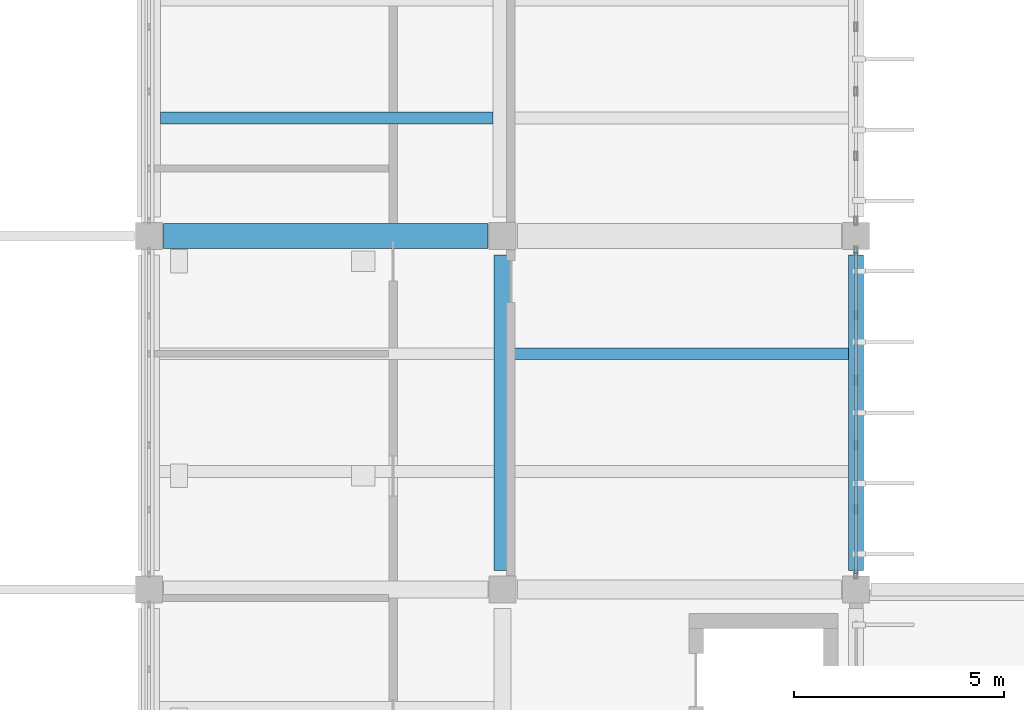
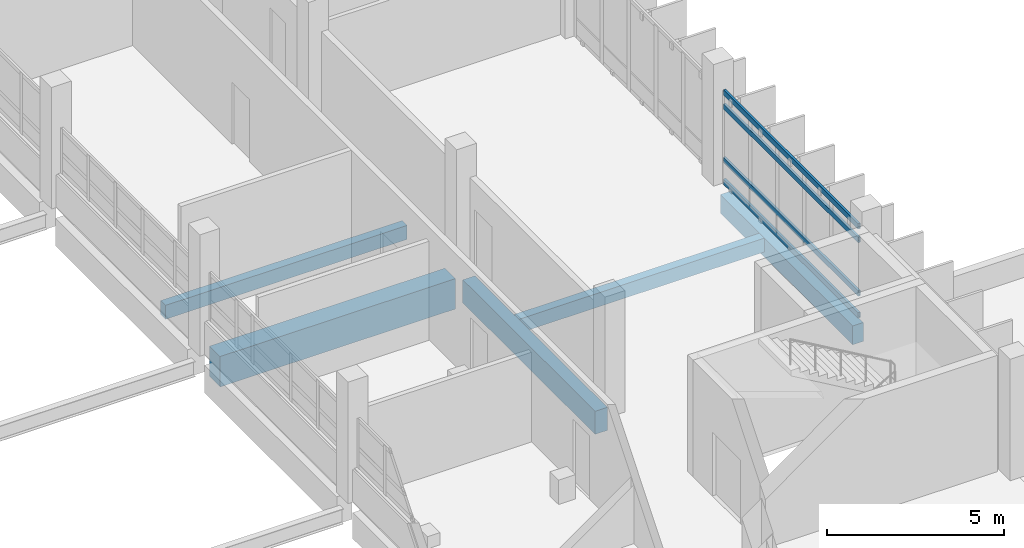
# One storey, part 41 of 101: 5 beams, 4 members, 1 element without a shape of its own.
"""IFC4 building model written with IfcOpenShell, lengths in metres."""

from ifc_helpers import new_model, si_unit, direction, frame, origin, origin_2d, place, context, subcontext, project, spatial, rectangle, hollow_rectangle, extrude, material, layer, layer_set, material_profile, profile_set, type_object, element, aggregate, save


model = new_model("IFC4")

# Units and contexts
model_context = context("Model", 3, precision=1e-05, world=origin(), true_north=direction((0.0, 1.0)))
body_context = subcontext(model_context, "Body", "Model", "MODEL_VIEW")
ifc_project = project(units=[si_unit("LENGTHUNIT", "METRE"), si_unit("AREAUNIT", "SQUARE_METRE"), si_unit("VOLUMEUNIT", "CUBIC_METRE"), si_unit("PLANEANGLEUNIT", "RADIAN"), si_unit("MASSUNIT", "GRAM", prefix="KILO")], contexts=[model_context])

# Site, building, storey
site_placement = place(None, origin())
site = spatial("IfcSite", under=ifc_project, at=site_placement, CompositionType="ELEMENT")
building_placement = place(site_placement, origin())
building = spatial("IfcBuilding", under=site, at=building_placement, Name="Vireocrest Preparatory School", CompositionType="ELEMENT")
storey_placement = place(building_placement, frame((0.0, 0.0, 4.800048828125)))
storey = spatial("IfcBuildingStorey", under=building, at=storey_placement, Name="L01", CompositionType="ELEMENT", Elevation=4.800048828125)

# Curtain wall, members
ifc_material_1 = material(Name="Thermally broken aluminium EN AW-6063-T6", Category="aluminium")
ifc_layer = layer(ifc_material_1, 0.179931640625)
ifc_layer_set = layer_set([ifc_layer], Name="Thermally broken aluminium EN AW-6063-T6")
curtain_wall_type = type_object("IfcCurtainWallType", Name="Teaching Fin Curtain Wall 8400x4200", PredefinedType="USERDEFINED", material=ifc_layer_set)
curtain_wall_placement = place(storey_placement, origin())
curtain_wall = element("IfcCurtainWall", 1, at=curtain_wall_placement, inside=storey, type_object=curtain_wall_type, Name="Curtain Wall CW03 CW_L01_CW03_1092_0525_048", ObjectType="CURTAIN WALL", PredefinedType="USERDEFINED")
ifc_material_profile_1 = material_profile(ifc_material_1, hollow_rectangle(XDim=0.074951171875, YDim=0.18994140625, WallThickness=0.00390625, at=origin_2d()), Name="ALU 75x190x4")
ifc_profile_set_1 = profile_set([ifc_material_profile_1], Name="Thermally broken aluminium EN AW-6063-T6")
member_type = type_object("IfcMemberType", Name="CW Transom 75x190x4", PredefinedType="USERDEFINED", material=ifc_profile_set_1)
member_1_placement = place(storey_placement, frame((109.199951171875, 52.5849609375, 0.094970703125), z_axis=(0.0, 1.0, 0.0), x_axis=(-1.0, 0.0, 0.0)))
member_1 = element("IfcMember", 2, at=member_1_placement, type_object=member_type, Name="CW Transom TR3 CW_L01_CW03_1092_0525_048-1", ObjectType="TRANSOM", PredefinedType="USERDEFINED", context=body_context, shape_type="SweptSolid", body=[
    extrude(hollow_rectangle(XDim=0.074951171875, YDim=0.18994140625, WallThickness=0.00390625, at=origin_2d()), origin(), (0.0, 0.0, 1.0), 7.630126953125),
])
member_2_placement = place(storey_placement, frame((109.199951171875, 52.5849609375, 0.849853515625), z_axis=(0.0, 1.0, 0.0), x_axis=(-1.0, 0.0, 0.0)))
member_2 = element("IfcMember", 3, at=member_2_placement, type_object=member_type, Name="CW Transom TR3 CW_L01_CW03_1092_0525_048-2", ObjectType="TRANSOM", PredefinedType="USERDEFINED", context=body_context, shape_type="SweptSolid", body=[
    extrude(hollow_rectangle(XDim=0.074951171875, YDim=0.18994140625, WallThickness=0.00390625, at=origin_2d()), origin(), (0.0, 0.0, 1.0), 7.630126953125),
])
member_3_placement = place(storey_placement, frame((109.199951171875, 52.5849609375, 2.699951171875), z_axis=(0.0, 1.0, 0.0), x_axis=(-1.0, 0.0, 0.0)))
member_3 = element("IfcMember", 4, at=member_3_placement, type_object=member_type, Name="CW Transom TR3 CW_L01_CW03_1092_0525_048-3", ObjectType="TRANSOM", PredefinedType="USERDEFINED", context=body_context, shape_type="SweptSolid", body=[
    extrude(hollow_rectangle(XDim=0.074951171875, YDim=0.18994140625, WallThickness=0.00390625, at=origin_2d()), origin(), (0.0, 0.0, 1.0), 7.630126953125),
])
member_4_placement = place(storey_placement, frame((109.199951171875, 52.5849609375, 3.175048828125), z_axis=(0.0, 1.0, 0.0), x_axis=(-1.0, 0.0, 0.0)))
member_4 = element("IfcMember", 5, at=member_4_placement, type_object=member_type, Name="CW Transom TR3 CW_L01_CW03_1092_0525_048-4", ObjectType="TRANSOM", PredefinedType="USERDEFINED", context=body_context, shape_type="SweptSolid", body=[
    extrude(hollow_rectangle(XDim=0.074951171875, YDim=0.18994140625, WallThickness=0.00390625, at=origin_2d()), origin(), (0.0, 0.0, 1.0), 7.630126953125),
])
aggregate(curtain_wall, [member_1, member_2, member_3, member_4])

# Beams
ifc_material_2 = material(Name="Concrete 40 MPa", Category="concrete")
ifc_material_profile_2 = material_profile(ifc_material_2, rectangle(XDim=0.35009765625, YDim=0.64990234375, at=origin_2d()), Name="RC 350x650")
ifc_profile_set_2 = profile_set([ifc_material_profile_2], Name="Concrete 40 MPa")
beam_type_1 = type_object("IfcBeamType", Name="RC Classroom Girder 350x650", PredefinedType="BEAM", material=ifc_profile_set_2)
beam_1_placement = place(storey_placement, frame((109.199951171875, 52.64990234375, -0.5849609375), z_axis=(0.0, 1.0, 0.0), x_axis=(-1.0, 0.0, 0.0)))
element("IfcBeam", 6, at=beam_1_placement, inside=storey, type_object=beam_type_1, Name="Primary Girder B05 L01-0466", PredefinedType="BEAM", context=body_context, shape_type="SweptSolid", body=[
    extrude(rectangle(XDim=0.35009765625, YDim=0.64990234375, at=origin_2d()), origin(), (0.0, 0.0, 1.0), 7.5),
])
ifc_material_profile_3 = material_profile(ifc_material_2, rectangle(XDim=0.39990234375, YDim=0.800048828125, at=origin_2d()), Name="RC 400x800")
ifc_profile_set_3 = profile_set([ifc_material_profile_3], Name="Concrete 40 MPa")
beam_type_2 = type_object("IfcBeamType", Name="RC Library Reading Girder 400x800", PredefinedType="BEAM", material=ifc_profile_set_3)
beam_2_placement = place(storey_placement, frame((100.800048828125, 52.64990234375, -0.66015625), z_axis=(0.0, 1.0, 0.0), x_axis=(-1.0, 0.0, 0.0)))
element("IfcBeam", 7, at=beam_2_placement, inside=storey, type_object=beam_type_2, Name="Primary Girder B10 L01-0453", PredefinedType="BEAM", context=body_context, shape_type="SweptSolid", body=[
    extrude(rectangle(XDim=0.39990234375, YDim=0.800048828125, at=origin_2d()), origin(), (0.0, 0.0, 1.0), 7.5),
])
ifc_material_profile_4 = material_profile(ifc_material_2, rectangle(XDim=0.280029296875, YDim=0.47998046875, at=origin_2d()), Name="RC 280x480")
ifc_profile_set_4 = profile_set([ifc_material_profile_4], Name="Concrete 40 MPa")
beam_type_3 = type_object("IfcBeamType", Name="RC Secondary Lab Joist 280x480", PredefinedType="JOIST", material=ifc_profile_set_4)
beam_3_placement = place(storey_placement, frame((92.675048828125, 63.39990234375, -0.5), z_axis=(1.0, 0.0, 0.0), x_axis=(0.0, 1.0, 0.0)))
element("IfcBeam", 8, at=beam_3_placement, inside=storey, type_object=beam_type_3, Name="Secondary Joist J02 L01-0597", PredefinedType="JOIST", context=body_context, shape_type="SweptSolid", body=[
    extrude(rectangle(XDim=0.280029296875, YDim=0.47998046875, at=origin_2d()), origin(), (0.0, 0.0, 1.0), 7.89990234375),
])
beam_4_placement = place(storey_placement, frame((101.0, 57.800048828125, -0.5), z_axis=(1.0, 0.0, 0.0), x_axis=(0.0, 1.0, 0.0)))
element("IfcBeam", 9, at=beam_4_placement, inside=storey, type_object=beam_type_3, Name="Secondary Joist J02 L01-0616", PredefinedType="JOIST", context=body_context, shape_type="SweptSolid", body=[
    extrude(rectangle(XDim=0.280029296875, YDim=0.47998046875, at=origin_2d()), origin(), (0.0, 0.0, 1.0), 8.02490234375),
])
ifc_material_profile_5 = material_profile(ifc_material_2, rectangle(XDim=0.60009765625, YDim=1.050048828125, at=origin_2d()), Name="RC 600x1050")
ifc_profile_set_5 = profile_set([ifc_material_profile_5], Name="Concrete 40 MPa")
beam_type_4 = type_object("IfcBeamType", Name="RC Transfer Girder 600x1050", PredefinedType="BEAM", material=ifc_profile_set_5)
beam_5_placement = place(storey_placement, frame((92.75, 60.60009765625, -0.78515625), z_axis=(1.0, 0.0, 0.0), x_axis=(0.0, 1.0, 0.0)))
element("IfcBeam", 10, at=beam_5_placement, inside=storey, type_object=beam_type_4, Name="Primary Girder B19 L01-0323", PredefinedType="BEAM", context=body_context, shape_type="SweptSolid", body=[
    extrude(rectangle(XDim=0.60009765625, YDim=1.050048828125, at=origin_2d()), origin(), (0.0, 0.0, 1.0), 7.699951171875),
])

save(model, "model.ifc")
